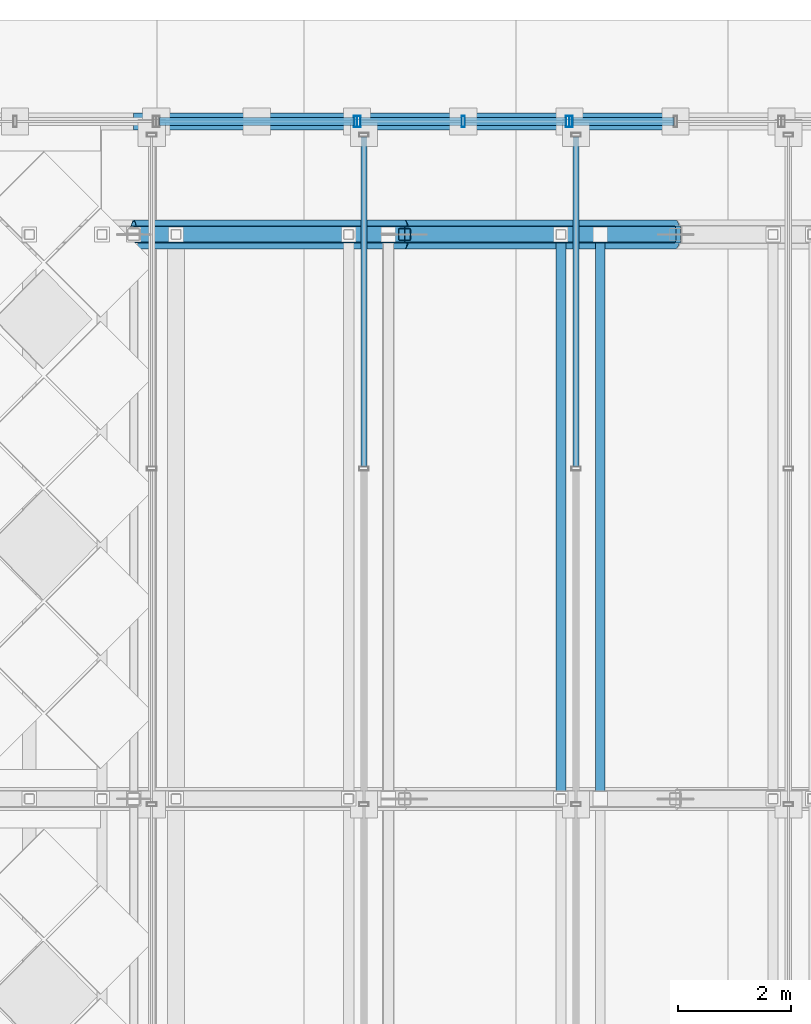
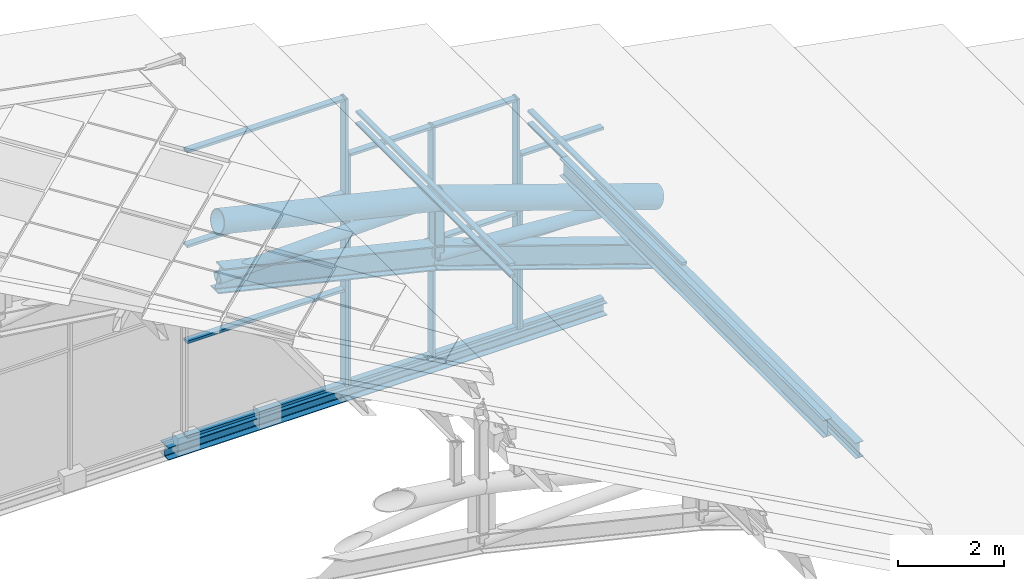
# One storey, part 40 of 117: 31 members, 1 beam, 5 elements without a shape of their own.
"""IFC4 building model written with IfcOpenShell, lengths in metres."""

from ifc_helpers import new_model, si_unit, direction, frame, origin, origin_2d, place, context, subcontext, project, spatial, hollow_rectangle, hollow_circle, i_section, extrude, material, material_profile, profile_set, type_object, element, aggregate, save


model = new_model("IFC4")

# Units and contexts
model_context = context("Model", 3, precision=1e-05, world=origin(), true_north=direction((0.0, 1.0)))
body_context = subcontext(model_context, "Body", "Model", "MODEL_VIEW")
ifc_project = project(units=[si_unit("LENGTHUNIT", "METRE"), si_unit("AREAUNIT", "SQUARE_METRE"), si_unit("VOLUMEUNIT", "CUBIC_METRE"), si_unit("PLANEANGLEUNIT", "RADIAN"), si_unit("MASSUNIT", "GRAM", prefix="KILO")], contexts=[model_context])

# Site, building, storey
site_placement = place(None, origin())
site = spatial("IfcSite", under=ifc_project, at=site_placement, CompositionType="ELEMENT")
building_placement = place(site_placement, origin())
building = spatial("IfcBuilding", under=site, at=building_placement, Name="Merenkruunu Market Hall", CompositionType="ELEMENT")
storey_placement = place(building_placement, frame((0.0, 0.0, 22.800048828125)))
storey = spatial("IfcBuildingStorey", under=building, at=storey_placement, Name="RF", CompositionType="ELEMENT", Elevation=22.800048828125)

# Members
ifc_material_1 = material(Name="Steel S355ML", Category="steel")
ifc_material_profile_1 = material_profile(ifc_material_1, hollow_circle(Radius=0.25390625, WallThickness=0.02001953125, at=origin_2d()), Name="CHS 508x20")
ifc_profile_set_1 = profile_set([ifc_material_profile_1], Name="Steel S355ML")
member_type_1 = type_object("IfcMemberType", Name="Arch Truss Chord TC01", PredefinedType="CHORD", material=ifc_profile_set_1)
member_1_placement = place(storey_placement, frame((38.39990234375, 109.60009765625, -2.340087890625), z_axis=(0.972941974064, 0.0, -0.231049594471), x_axis=(0.0, 1.0, 0.0)))
element("IfcMember", 1, at=member_1_placement, inside=storey, type_object=member_type_1, Name="TRUSS-AT-G-TOP-09", PredefinedType="CHORD", context=body_context, shape_type="SweptSolid", body=[
    extrude(hollow_circle(Radius=0.25390625, WallThickness=0.02001953125, at=origin_2d()), origin(), (0.0, 0.0, 1.0), 4.93359375),
])
member_2_placement = place(storey_placement, frame((43.199951171875, 109.60009765625, -3.47998046875), z_axis=(0.946224865418, 0.0, -0.323509666107), x_axis=(0.0, 1.0, 0.0)))
element("IfcMember", 2, at=member_2_placement, inside=storey, type_object=member_type_1, Name="TRUSS-AT-G-TOP-10", PredefinedType="CHORD", context=body_context, shape_type="SweptSolid", body=[
    extrude(hollow_circle(Radius=0.25390625, WallThickness=0.02001953125, at=origin_2d()), origin(), (0.0, 0.0, 1.0), 5.07275390625),
])
ifc_material_profile_2 = material_profile(ifc_material_1, i_section(OverallWidth=0.300048828125, OverallDepth=0.550048828125, WebThickness=0.014892578125, FlangeThickness=0.029052734375, FilletRadius=0.027099609375, at=origin_2d()), Name="HEB 550")
ifc_profile_set_2 = profile_set([ifc_material_profile_2], Name="Steel S355ML")
member_type_2 = type_object("IfcMemberType", Name="Arch Truss Chord TC03", PredefinedType="CHORD", material=ifc_profile_set_2)
member_3_placement = place(storey_placement, frame((38.39990234375, 109.60009765625, -3.64013671875), z_axis=(0.972941974064, 0.0, -0.231049594471), x_axis=(0.0, 1.0, 0.0)))
element("IfcMember", 3, at=member_3_placement, inside=storey, type_object=member_type_2, Name="TRUSS-AT-G-BOT-09", PredefinedType="CHORD", context=body_context, shape_type="SweptSolid", body=[
    extrude(i_section(OverallWidth=0.300048828125, OverallDepth=0.550048828125, WebThickness=0.014892578125, FlangeThickness=0.029052734375, FilletRadius=0.027099609375, at=origin_2d()), origin(), (0.0, 0.0, 1.0), 4.93359375),
])
member_4_placement = place(storey_placement, frame((43.199951171875, 109.60009765625, -4.780029296875), z_axis=(0.946224865418, 0.0, -0.323509666107), x_axis=(0.0, 1.0, 0.0)))
element("IfcMember", 4, at=member_4_placement, inside=storey, type_object=member_type_2, Name="TRUSS-AT-G-BOT-10", PredefinedType="CHORD", context=body_context, shape_type="SweptSolid", body=[
    extrude(i_section(OverallWidth=0.300048828125, OverallDepth=0.550048828125, WebThickness=0.014892578125, FlangeThickness=0.029052734375, FilletRadius=0.027099609375, at=origin_2d()), origin(), (0.0, 0.0, 1.0), 5.07275390625),
])

# Curtain wall, member
ifc_material_2 = material(Name="Powder-coated aluminium", Category="aluminium")
curtain_wall_type_1 = type_object("IfcCurtainWallType", Name="Glazed Curtain Wall CW18", PredefinedType="USERDEFINED", material=ifc_material_2)
curtain_wall_1_placement = place(storey_placement, origin())
curtain_wall_1 = element("IfcCurtainWall", 5, at=curtain_wall_1_placement, inside=storey, type_object=curtain_wall_type_1, Name="CW-RF-CWM03-076", ObjectType="GLAZED_FACADE", PredefinedType="USERDEFINED")
ifc_material_profile_3 = material_profile(ifc_material_2, hollow_rectangle(XDim=0.06005859375, YDim=0.199951171875, WallThickness=0.0048828125, at=origin_2d()), Name="ALU 60x200x5")
ifc_profile_set_3 = profile_set([ifc_material_profile_3], Name="Powder-coated aluminium")
member_type_3 = type_object("IfcMemberType", Name="Curtain Wall Mullion CWM03", PredefinedType="MULLION", material=ifc_profile_set_3)
member_5_placement = place(storey_placement, frame((42.330078125, 111.60009765625, -8.68994140625), z_axis=(0.0, 0.0, 1.0), x_axis=(1.0, 0.0, 0.0)))
member_5 = element("IfcMember", 6, at=member_5_placement, type_object=member_type_3, Name="CW18 mullion 2", PredefinedType="MULLION", context=body_context, shape_type="SweptSolid", body=[
    extrude(hollow_rectangle(XDim=0.06005859375, YDim=0.199951171875, WallThickness=0.0048828125, at=origin_2d()), origin(), (0.0, 0.0, 1.0), 6.64990234375),
])

# Curtain wall, members
curtain_wall_type_2 = type_object("IfcCurtainWallType", Name="Glazed Curtain Wall CW17", PredefinedType="USERDEFINED", material=ifc_material_2)
curtain_wall_2_placement = place(storey_placement, origin())
curtain_wall_2 = element("IfcCurtainWall", 7, at=curtain_wall_2_placement, inside=storey, type_object=curtain_wall_type_2, Name="CW-RF-CWM03-077", ObjectType="GLAZED_FACADE", PredefinedType="USERDEFINED")
member_6_placement = place(storey_placement, frame((42.389892578125, 111.60009765625, -8.68994140625), z_axis=(0.0, 0.0, 1.0), x_axis=(1.0, 0.0, 0.0)))
member_6 = element("IfcMember", 8, at=member_6_placement, type_object=member_type_3, Name="CW17 mullion 1", PredefinedType="MULLION", context=body_context, shape_type="SweptSolid", body=[
    extrude(hollow_rectangle(XDim=0.06005859375, YDim=0.199951171875, WallThickness=0.0048828125, at=origin_2d()), origin(), (0.0, 0.0, 1.0), 5.329833984375),
])
member_7_placement = place(storey_placement, frame((44.239990234375, 111.60009765625, -8.68994140625), z_axis=(0.0, 0.0, 1.0), x_axis=(1.0, 0.0, 0.0)))
member_7 = element("IfcMember", 9, at=member_7_placement, type_object=member_type_3, Name="CW17 mullion 2", PredefinedType="MULLION", context=body_context, shape_type="SweptSolid", body=[
    extrude(hollow_rectangle(XDim=0.06005859375, YDim=0.199951171875, WallThickness=0.0048828125, at=origin_2d()), origin(), (0.0, 0.0, 1.0), 5.329833984375),
])
member_8_placement = place(storey_placement, frame((46.090087890625, 111.60009765625, -8.68994140625), z_axis=(0.0, 0.0, 1.0), x_axis=(1.0, 0.0, 0.0)))
member_8 = element("IfcMember", 10, at=member_8_placement, type_object=member_type_3, Name="CW17 mullion 3", PredefinedType="MULLION", context=body_context, shape_type="SweptSolid", body=[
    extrude(hollow_rectangle(XDim=0.06005859375, YDim=0.199951171875, WallThickness=0.0048828125, at=origin_2d()), origin(), (0.0, 0.0, 1.0), 5.329833984375),
])

# Curtain wall, member
curtain_wall_3_placement = place(storey_placement, origin())
curtain_wall_3 = element("IfcCurtainWall", 11, at=curtain_wall_3_placement, inside=storey, type_object=curtain_wall_type_2, Name="CW-RF-CWM03-078", ObjectType="GLAZED_FACADE", PredefinedType="USERDEFINED")
member_9_placement = place(storey_placement, frame((46.14990234375, 111.60009765625, -8.68994140625), z_axis=(0.0, 0.0, 1.0), x_axis=(1.0, 0.0, 0.0)))
member_9 = element("IfcMember", 12, at=member_9_placement, type_object=member_type_3, Name="CW17 mullion 1", PredefinedType="MULLION", context=body_context, shape_type="SweptSolid", body=[
    extrude(hollow_rectangle(XDim=0.06005859375, YDim=0.199951171875, WallThickness=0.0048828125, at=origin_2d()), origin(), (0.0, 0.0, 1.0), 4.010009765625),
])

# Member
ifc_material_profile_4 = material_profile(ifc_material_2, hollow_rectangle(XDim=0.06005859375, YDim=0.139892578125, WallThickness=0.00390625, at=origin_2d()), Name="ALU 60x140x4")
ifc_profile_set_4 = profile_set([ifc_material_profile_4], Name="Powder-coated aluminium")
member_type_4 = type_object("IfcMemberType", Name="Curtain Wall Transom CWT02", PredefinedType="USERDEFINED", material=ifc_profile_set_4)
member_10_placement = place(storey_placement, frame((38.860107421875, 111.60009765625, -8.66015625), z_axis=(1.0, 0.0, 0.0), x_axis=(0.0, 0.0, 1.0)))
member_10 = element("IfcMember", 13, at=member_10_placement, type_object=member_type_4, Name="CW18 transom 1.1", ObjectType="TRANSOM", PredefinedType="USERDEFINED", context=body_context, shape_type="SweptSolid", body=[
    extrude(hollow_rectangle(XDim=0.06005859375, YDim=0.139892578125, WallThickness=0.00390625, at=origin_2d()), origin(), (0.0, 0.0, 1.0), 3.43994140625),
])

member_11_placement = place(storey_placement, frame((38.860107421875, 111.60009765625, -6.47314453125), z_axis=(1.0, 0.0, 0.0), x_axis=(0.0, 0.0, 1.0)))
member_11 = element("IfcMember", 14, at=member_11_placement, type_object=member_type_4, Name="CW18 transom 1.2", ObjectType="TRANSOM", PredefinedType="USERDEFINED", context=body_context, shape_type="SweptSolid", body=[
    extrude(hollow_rectangle(XDim=0.06005859375, YDim=0.139892578125, WallThickness=0.00390625, at=origin_2d()), origin(), (0.0, 0.0, 1.0), 3.43994140625),
])

member_12_placement = place(storey_placement, frame((38.860107421875, 111.60009765625, -4.257080078125), z_axis=(1.0, 0.0, 0.0), x_axis=(0.0, 0.0, 1.0)))
member_12 = element("IfcMember", 15, at=member_12_placement, type_object=member_type_4, Name="CW18 transom 1.3", ObjectType="TRANSOM", PredefinedType="USERDEFINED", context=body_context, shape_type="SweptSolid", body=[
    extrude(hollow_rectangle(XDim=0.06005859375, YDim=0.139892578125, WallThickness=0.00390625, at=origin_2d()), origin(), (0.0, 0.0, 1.0), 3.43994140625),
])

member_13_placement = place(storey_placement, frame((38.860107421875, 111.60009765625, -2.070068359375), z_axis=(1.0, 0.0, 0.0), x_axis=(0.0, 0.0, 1.0)))
member_13 = element("IfcMember", 16, at=member_13_placement, type_object=member_type_4, Name="CW18 transom 1.4", ObjectType="TRANSOM", PredefinedType="USERDEFINED", context=body_context, shape_type="SweptSolid", body=[
    extrude(hollow_rectangle(XDim=0.06005859375, YDim=0.139892578125, WallThickness=0.00390625, at=origin_2d()), origin(), (0.0, 0.0, 1.0), 3.43994140625),
])

aggregate(curtain_wall_1, [member_5, member_10, member_11, member_12, member_13])

member_14_placement = place(storey_placement, frame((42.419921875, 111.60009765625, -8.66015625), z_axis=(1.0, 0.0, 0.0), x_axis=(0.0, 0.0, 1.0)))
member_14 = element("IfcMember", 17, at=member_14_placement, type_object=member_type_4, Name="CW17 transom 1.1", ObjectType="TRANSOM", PredefinedType="USERDEFINED", context=body_context, shape_type="SweptSolid", body=[
    extrude(hollow_rectangle(XDim=0.06005859375, YDim=0.139892578125, WallThickness=0.00390625, at=origin_2d()), origin(), (0.0, 0.0, 1.0), 1.7900390625),
])

member_15_placement = place(storey_placement, frame((42.419921875, 111.60009765625, -6.025146484375), z_axis=(1.0, 0.0, 0.0), x_axis=(0.0, 0.0, 1.0)))
member_15 = element("IfcMember", 18, at=member_15_placement, type_object=member_type_4, Name="CW17 transom 1.2", ObjectType="TRANSOM", PredefinedType="USERDEFINED", context=body_context, shape_type="SweptSolid", body=[
    extrude(hollow_rectangle(XDim=0.06005859375, YDim=0.139892578125, WallThickness=0.00390625, at=origin_2d()), origin(), (0.0, 0.0, 1.0), 1.7900390625),
])

member_16_placement = place(storey_placement, frame((42.419921875, 111.60009765625, -3.39013671875), z_axis=(1.0, 0.0, 0.0), x_axis=(0.0, 0.0, 1.0)))
member_16 = element("IfcMember", 19, at=member_16_placement, type_object=member_type_4, Name="CW17 transom 1.3", ObjectType="TRANSOM", PredefinedType="USERDEFINED", context=body_context, shape_type="SweptSolid", body=[
    extrude(hollow_rectangle(XDim=0.06005859375, YDim=0.139892578125, WallThickness=0.00390625, at=origin_2d()), origin(), (0.0, 0.0, 1.0), 1.7900390625),
])

member_17_placement = place(storey_placement, frame((44.27001953125, 111.60009765625, -8.66015625), z_axis=(1.0, 0.0, 0.0), x_axis=(0.0, 0.0, 1.0)))
member_17 = element("IfcMember", 20, at=member_17_placement, type_object=member_type_4, Name="CW17 transom 2.1", ObjectType="TRANSOM", PredefinedType="USERDEFINED", context=body_context, shape_type="SweptSolid", body=[
    extrude(hollow_rectangle(XDim=0.06005859375, YDim=0.139892578125, WallThickness=0.00390625, at=origin_2d()), origin(), (0.0, 0.0, 1.0), 1.7900390625),
])

member_18_placement = place(storey_placement, frame((44.27001953125, 111.60009765625, -6.025146484375), z_axis=(1.0, 0.0, 0.0), x_axis=(0.0, 0.0, 1.0)))
member_18 = element("IfcMember", 21, at=member_18_placement, type_object=member_type_4, Name="CW17 transom 2.2", ObjectType="TRANSOM", PredefinedType="USERDEFINED", context=body_context, shape_type="SweptSolid", body=[
    extrude(hollow_rectangle(XDim=0.06005859375, YDim=0.139892578125, WallThickness=0.00390625, at=origin_2d()), origin(), (0.0, 0.0, 1.0), 1.7900390625),
])

member_19_placement = place(storey_placement, frame((44.27001953125, 111.60009765625, -3.39013671875), z_axis=(1.0, 0.0, 0.0), x_axis=(0.0, 0.0, 1.0)))
member_19 = element("IfcMember", 22, at=member_19_placement, type_object=member_type_4, Name="CW17 transom 2.3", ObjectType="TRANSOM", PredefinedType="USERDEFINED", context=body_context, shape_type="SweptSolid", body=[
    extrude(hollow_rectangle(XDim=0.06005859375, YDim=0.139892578125, WallThickness=0.00390625, at=origin_2d()), origin(), (0.0, 0.0, 1.0), 1.7900390625),
])

aggregate(curtain_wall_2, [member_6, member_7, member_8, member_14, member_15, member_16, member_17, member_18, member_19])

member_20_placement = place(storey_placement, frame((46.179931640625, 111.60009765625, -8.66015625), z_axis=(1.0, 0.0, 0.0), x_axis=(0.0, 0.0, 1.0)))
member_20 = element("IfcMember", 23, at=member_20_placement, type_object=member_type_4, Name="CW17 transom 1.1", ObjectType="TRANSOM", PredefinedType="USERDEFINED", context=body_context, shape_type="SweptSolid", body=[
    extrude(hollow_rectangle(XDim=0.06005859375, YDim=0.139892578125, WallThickness=0.00390625, at=origin_2d()), origin(), (0.0, 0.0, 1.0), 1.7900390625),
])

member_21_placement = place(storey_placement, frame((46.179931640625, 111.60009765625, -6.68505859375), z_axis=(1.0, 0.0, 0.0), x_axis=(0.0, 0.0, 1.0)))
member_21 = element("IfcMember", 24, at=member_21_placement, type_object=member_type_4, Name="CW17 transom 1.2", ObjectType="TRANSOM", PredefinedType="USERDEFINED", context=body_context, shape_type="SweptSolid", body=[
    extrude(hollow_rectangle(XDim=0.06005859375, YDim=0.139892578125, WallThickness=0.00390625, at=origin_2d()), origin(), (0.0, 0.0, 1.0), 1.7900390625),
])

member_22_placement = place(storey_placement, frame((46.179931640625, 111.60009765625, -4.7099609375), z_axis=(1.0, 0.0, 0.0), x_axis=(0.0, 0.0, 1.0)))
member_22 = element("IfcMember", 25, at=member_22_placement, type_object=member_type_4, Name="CW17 transom 1.3", ObjectType="TRANSOM", PredefinedType="USERDEFINED", context=body_context, shape_type="SweptSolid", body=[
    extrude(hollow_rectangle(XDim=0.06005859375, YDim=0.139892578125, WallThickness=0.00390625, at=origin_2d()), origin(), (0.0, 0.0, 1.0), 1.7900390625),
])

aggregate(curtain_wall_3, [member_9, member_20, member_21, member_22])

# Curtain wall, members
curtain_wall_type_3 = type_object("IfcCurtainWallType", Name="Clerestory Curtain Band CL05", PredefinedType="USERDEFINED", material=ifc_material_2)
curtain_wall_4_placement = place(storey_placement, origin())
curtain_wall_4 = element("IfcCurtainWall", 26, at=curtain_wall_4_placement, inside=storey, type_object=curtain_wall_type_3, Name="CW-RF-CWM04-104", ObjectType="CLERESTORY_BAND", PredefinedType="USERDEFINED")
ifc_material_profile_5 = material_profile(ifc_material_2, hollow_rectangle(XDim=0.06005859375, YDim=0.110107421875, WallThickness=0.00390625, at=origin_2d()), Name="ALU 60x110x4")
ifc_profile_set_5 = profile_set([ifc_material_profile_5], Name="Powder-coated aluminium")
member_type_5 = type_object("IfcMemberType", Name="Curtain Wall Transom CWT03", PredefinedType="USERDEFINED", material=ifc_profile_set_5)
member_23_placement = place(storey_placement, frame((46.239990234375, 111.330078125, -3.85205078125), z_axis=(0.0, -1.0, 0.0), x_axis=(0.0, 0.0, 1.0)))
member_23 = element("IfcMember", 27, at=member_23_placement, type_object=member_type_5, Name="CL05 transom 1.1", ObjectType="TRANSOM", PredefinedType="USERDEFINED", context=body_context, shape_type="SweptSolid", body=[
    extrude(hollow_rectangle(XDim=0.06005859375, YDim=0.110107421875, WallThickness=0.00390625, at=origin_2d()), origin(), (0.0, 0.0, 1.0), 5.844970703125),
])
member_24_placement = place(storey_placement, frame((46.239990234375, 111.330078125, -3.56396484375), z_axis=(0.0, -1.0, 0.0), x_axis=(0.0, 0.0, 1.0)))
member_24 = element("IfcMember", 28, at=member_24_placement, type_object=member_type_5, Name="CL05 transom 1.2", ObjectType="TRANSOM", PredefinedType="USERDEFINED", context=body_context, shape_type="SweptSolid", body=[
    extrude(hollow_rectangle(XDim=0.06005859375, YDim=0.110107421875, WallThickness=0.00390625, at=origin_2d()), origin(), (0.0, 0.0, 1.0), 5.844970703125),
])
aggregate(curtain_wall_4, [member_23, member_24])

curtain_wall_5_placement = place(storey_placement, origin())
curtain_wall_5 = element("IfcCurtainWall", 29, at=curtain_wall_5_placement, inside=storey, type_object=curtain_wall_type_3, Name="CW-RF-CWM04-112", ObjectType="CLERESTORY_BAND", PredefinedType="USERDEFINED")
member_25_placement = place(storey_placement, frame((42.47998046875, 111.330078125, -2.531982421875), z_axis=(0.0, -1.0, 0.0), x_axis=(0.0, 0.0, 1.0)))
member_25 = element("IfcMember", 30, at=member_25_placement, type_object=member_type_5, Name="CL05 transom 1.1", ObjectType="TRANSOM", PredefinedType="USERDEFINED", context=body_context, shape_type="SweptSolid", body=[
    extrude(hollow_rectangle(XDim=0.06005859375, YDim=0.110107421875, WallThickness=0.00390625, at=origin_2d()), origin(), (0.0, 0.0, 1.0), 5.844970703125),
])
member_26_placement = place(storey_placement, frame((42.47998046875, 111.330078125, -2.26513671875), z_axis=(0.0, -1.0, 0.0), x_axis=(0.0, 0.0, 1.0)))
member_26 = element("IfcMember", 31, at=member_26_placement, type_object=member_type_5, Name="CL05 transom 1.2", ObjectType="TRANSOM", PredefinedType="USERDEFINED", context=body_context, shape_type="SweptSolid", body=[
    extrude(hollow_rectangle(XDim=0.06005859375, YDim=0.110107421875, WallThickness=0.00390625, at=origin_2d()), origin(), (0.0, 0.0, 1.0), 5.844970703125),
])
aggregate(curtain_wall_5, [member_25, member_26])

# Members
ifc_material_profile_6 = material_profile(ifc_material_1, hollow_circle(Radius=0.136474609375, WallThickness=0.012451171875, at=origin_2d()), Name="CHS 273x12.5")
ifc_profile_set_6 = profile_set([ifc_material_profile_6], Name="Steel S355ML")
member_type_6 = type_object("IfcMemberType", Name="Diagonal Sway Brace BR02", PredefinedType="BRACE", material=ifc_profile_set_6)
member_27_placement = place(storey_placement, frame((38.39990234375, 109.60009765625, -3.64013671875), z_axis=(0.999443834494, 0.0, 0.033346989239), x_axis=(0.0, 1.0, 0.0)))
element("IfcMember", 32, at=member_27_placement, inside=storey, type_object=member_type_6, Name="TRUSS-AT-G-DIAG-09", PredefinedType="BRACE", context=body_context, shape_type="SweptSolid", body=[
    extrude(hollow_circle(Radius=0.136474609375, WallThickness=0.012451171875, at=origin_2d()), origin(), (0.0, 0.0, 1.0), 4.802734375),
])
member_28_placement = place(storey_placement, frame((43.199951171875, 109.60009765625, -4.780029296875), z_axis=(0.997485156704, 0.0, -0.070875680989), x_axis=(0.0, 1.0, 0.0)))
element("IfcMember", 33, at=member_28_placement, inside=storey, type_object=member_type_6, Name="TRUSS-AT-G-DIAG-10", PredefinedType="BRACE", context=body_context, shape_type="SweptSolid", body=[
    extrude(hollow_circle(Radius=0.136474609375, WallThickness=0.012451171875, at=origin_2d()), origin(), (0.0, 0.0, 1.0), 4.812255859375),
])
ifc_material_3 = material(Name="Steel S355J2", Category="steel")
ifc_material_profile_7 = material_profile(ifc_material_3, hollow_rectangle(XDim=0.219970703125, YDim=0.219970703125, WallThickness=0.012451171875, InnerFilletRadius=0.012451171875, OuterFilletRadius=0.02490234375, at=origin_2d()), Name="SHS 220x220x12.5")
ifc_profile_set_7 = profile_set([ifc_material_profile_7], Name="Steel S355J2")
member_type_7 = type_object("IfcMemberType", Name="Diagonal Sway Brace BR04", PredefinedType="BRACE", material=ifc_profile_set_7)
member_29_placement = place(storey_placement, frame((43.199951171875, 109.60009765625, -4.780029296875), z_axis=(0.0, 0.0, 1.0), x_axis=(1.0, 0.0, 0.0)))
element("IfcMember", 34, at=member_29_placement, inside=storey, type_object=member_type_7, Name="TRUSS-AT-G-POST-09", PredefinedType="BRACE", context=body_context, shape_type="SweptSolid", body=[
    extrude(hollow_rectangle(XDim=0.219970703125, YDim=0.219970703125, WallThickness=0.012451171875, InnerFilletRadius=0.012451171875, OuterFilletRadius=0.02490234375, at=origin_2d()), origin(), (0.0, 0.0, 1.0), 1.300048828125),
])

# Beam
ifc_material_profile_8 = material_profile(ifc_material_3, i_section(OverallWidth=0.300048828125, OverallDepth=0.2900390625, WebThickness=0.008544921875, FlangeThickness=0.013916015625, FilletRadius=0.027099609375, at=origin_2d()), Name="HEA 300")
ifc_profile_set_8 = profile_set([ifc_material_profile_8], Name="Steel S355J2")
beam_type = type_object("IfcBeamType", Name="Primary Floor Girder B09", PredefinedType="BEAM", material=ifc_profile_set_8)
beam_placement = place(storey_placement, frame((38.39990234375, 111.60009765625, -8.844970703125), z_axis=(1.0, 0.0, 0.0), x_axis=(0.0, 1.0, 0.0)))
element("IfcBeam", 35, at=beam_placement, inside=storey, type_object=beam_type, Name="BM-RF-B09-1257", PredefinedType="BEAM", context=body_context, shape_type="SweptSolid", body=[
    extrude(i_section(OverallWidth=0.300048828125, OverallDepth=0.2900390625, WebThickness=0.008544921875, FlangeThickness=0.013916015625, FilletRadius=0.027099609375, at=origin_2d()), origin(), (0.0, 0.0, 1.0), 9.60009765625),
])

# Members
ifc_material_profile_9 = material_profile(ifc_material_1, i_section(OverallWidth=0.169921875, OverallDepth=0.360107421875, WebThickness=0.008056640625, FlangeThickness=0.0126953125, FilletRadius=0.01806640625, at=origin_2d()), Name="IPE 360")
ifc_profile_set_9 = profile_set([ifc_material_profile_9], Name="Steel S355ML")
member_type_8 = type_object("IfcMemberType", Name="Roof Purlin Rafter PR03", PredefinedType="PURLIN", material=ifc_profile_set_9)
member_30_placement = place(storey_placement, frame((46.669921875, 99.60009765625, -4.452392578125), z_axis=(0.0, 1.0, 0.0), x_axis=(-1.0, 0.0, 0.0)))
element("IfcMember", 36, at=member_30_placement, inside=storey, type_object=member_type_8, Name="MEM-RF-PURL-E-096", PredefinedType="PURLIN", context=body_context, shape_type="SweptSolid", body=[
    extrude(i_section(OverallWidth=0.169921875, OverallDepth=0.360107421875, WebThickness=0.008056640625, FlangeThickness=0.0126953125, FilletRadius=0.01806640625, at=origin_2d()), origin(), (0.0, 0.0, 1.0), 10.0),
])
ifc_material_profile_10 = material_profile(ifc_material_1, i_section(OverallWidth=0.179931640625, OverallDepth=0.39990234375, WebThickness=0.008544921875, FlangeThickness=0.013427734375, FilletRadius=0.02099609375, at=origin_2d()), Name="IPE 400")
ifc_profile_set_10 = profile_set([ifc_material_profile_10], Name="Steel S355ML")
member_type_9 = type_object("IfcMemberType", Name="Roof Purlin Rafter PR09", PredefinedType="PURLIN", material=ifc_profile_set_10)
member_31_placement = place(storey_placement, frame((45.969970703125, 99.60009765625, -3.699951171875), z_axis=(0.0, 1.0, 0.0), x_axis=(-1.0, 0.0, 0.0)))
element("IfcMember", 37, at=member_31_placement, inside=storey, type_object=member_type_9, Name="MEM-RF-PURL-E-112", PredefinedType="PURLIN", context=body_context, shape_type="SweptSolid", body=[
    extrude(i_section(OverallWidth=0.179931640625, OverallDepth=0.39990234375, WebThickness=0.008544921875, FlangeThickness=0.013427734375, FilletRadius=0.02099609375, at=origin_2d()), origin(), (0.0, 0.0, 1.0), 10.0),
])

save(model, "model.ifc")
